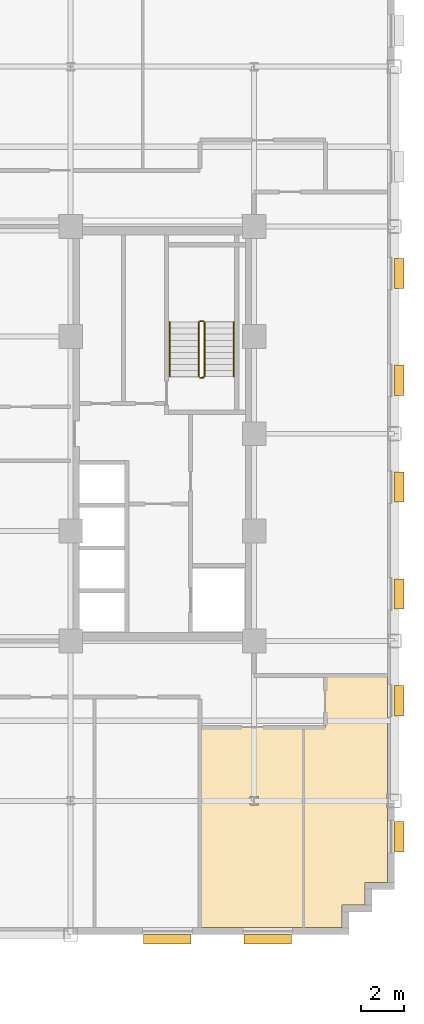
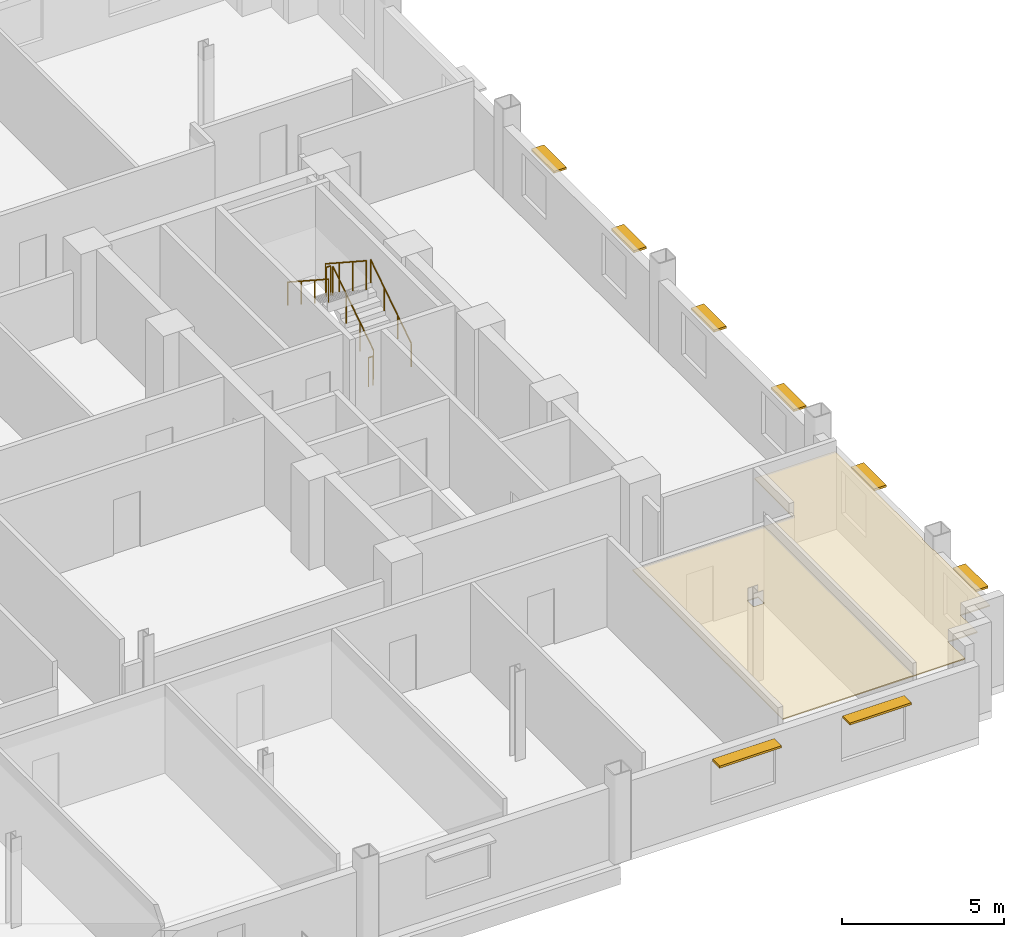
# One storey, part 13 of 14: 8 shading devices, 6 railings, 2 coverings.
"""IFC4 building model written with IfcOpenShell, lengths in metres."""

from ifc_helpers import new_model, si_unit, direction, frame, origin, origin_2d, place, context, subcontext, project, spatial, polyline, rectangle, circle, outline, extrude, source, transform, mapped, material, layer, layer_set, type_object, type_shapes, element, save


model = new_model("IFC4")

# Units and contexts
model_context = context("Model", 3, precision=1e-05, world=origin(), true_north=direction((0.0, 1.0)))
body_context = subcontext(model_context, "Body", "Model", "MODEL_VIEW")
ifc_project = project(units=[si_unit("LENGTHUNIT", "METRE"), si_unit("AREAUNIT", "SQUARE_METRE"), si_unit("VOLUMEUNIT", "CUBIC_METRE"), si_unit("PLANEANGLEUNIT", "RADIAN"), si_unit("MASSUNIT", "GRAM", prefix="KILO")], contexts=[model_context])

# Site, building, storey
site_placement = place(None, origin())
site = spatial("IfcSite", under=ifc_project, at=site_placement, CompositionType="ELEMENT")
building_placement = place(site_placement, origin())
building = spatial("IfcBuilding", under=site, at=building_placement, Name="Nuvemarco Arch Tower", CompositionType="ELEMENT")
storey_placement = place(building_placement, frame((0.0, 0.0, 105.60009765625)))
storey = spatial("IfcBuildingStorey", under=building, at=storey_placement, Name="L27", CompositionType="ELEMENT", Elevation=105.60009765625)

# Coverings
ifc_material_1 = material(Name="Mineral acoustic ceiling tile")
ifc_layer = layer(ifc_material_1, 0.0400390625, Name="COV-ACOUSTIC-CLG")
ifc_layer_set = layer_set([ifc_layer], Name="Mineral acoustic ceiling tile")
covering_type = type_object("IfcCoveringType", Name="COV-ACOUSTIC-CLG", PredefinedType="CEILING", material=ifc_layer_set)
covering_1_placement = place(storey_placement, frame((0.0, 0.0, 2.849853515625)))
element("IfcCovering", 1, at=covering_1_placement, inside=storey, type_object=covering_type, Name="L27 suspended acoustic ceiling 8", PredefinedType="CEILING", context=body_context, shape_type="SweptSolid", body=[
    extrude(outline(polyline([(15.070068359375, -22.8798828125), (15.070068359375, -13.60009765625), (19.780029296875, -13.60009765625), (19.780029296875, -22.8798828125), (15.070068359375, -22.8798828125)]), holes=[polyline([(17.695068359375, -17.195068359375), (17.695068359375, -16.804931640625), (17.304931640625, -16.804931640625), (17.304931640625, -17.195068359375), (17.695068359375, -17.195068359375)])]), origin(), (0.0, 0.0, 1.0), 0.0400390625),
])
covering_2_placement = place(storey_placement, frame((0.0, 0.0, 2.849853515625)))
element("IfcCovering", 2, at=covering_2_placement, inside=storey, type_object=covering_type, Name="L27 suspended acoustic ceiling 9", PredefinedType="CEILING", context=body_context, shape_type="SweptSolid", body=[
    extrude(outline(polyline([(21.580078125, -22.8798828125), (19.780029296875, -22.8798828125), (19.780029296875, -13.60009765625), (20.800048828125, -13.60009765625), (20.800048828125, -11.199951171875), (23.679931640625, -11.199951171875), (23.679931640625, -16.659912109375), (23.659912109375, -16.659912109375), (23.659912109375, -17.340087890625), (23.679931640625, -17.340087890625), (23.679931640625, -20.780029296875), (22.6298828125, -20.780029296875), (22.6298828125, -21.830078125), (21.580078125, -21.830078125), (21.580078125, -22.8798828125)])), origin(), (0.0, 0.0, 1.0), 0.0400390625),
])

# Railings
ifc_material_2 = material(Name="Brushed stainless steel handrail", Category="steel")
railing_type_1 = type_object("IfcRailingType", Name="RL-HANDRAIL-900", PredefinedType="HANDRAIL", material=ifc_material_2)
railing_1_placement = place(storey_placement, frame((16.550048828125, 2.64990234375, 0.182373046875)))
element("IfcRailing", 3, at=railing_1_placement, inside=storey, type_object=railing_type_1, Name="L27 ST-2 stair handrail 1", PredefinedType="HANDRAIL", context=body_context, shape_type="SweptSolid", body=[
    extrude(circle(Radius=0.02392578125, at=origin_2d()), frame((0.0, 0.0, 0.8759765625), z_axis=(0.0, 0.837749427056, 0.546054848405), x_axis=(-1.0, 0.0, 0.0)), (0.0, 0.0, 1.0), 3.008056640625),
    extrude(circle(Radius=0.02099609375, at=origin_2d()), origin(), (0.0, 0.0, 1.0), 0.851806640625),
    extrude(circle(Radius=0.02099609375, at=origin_2d()), frame((0.0, 0.840087890625, 0.547607421875)), (0.0, 0.0, 1.0), 0.851806640625),
    extrude(circle(Radius=0.02099609375, at=origin_2d()), frame((0.0, 1.679931640625, 1.094970703125)), (0.0, 0.0, 1.0), 0.851806640625),
    extrude(circle(Radius=0.02099609375, at=origin_2d()), frame((0.0, 2.52001953125, 1.642578125)), (0.0, 0.0, 1.0), 0.851806640625),
])
railing_2_placement = place(storey_placement, frame((13.590087890625, 5.169921875, 2.00732421875)))
element("IfcRailing", 4, at=railing_2_placement, inside=storey, type_object=railing_type_1, Name="L27 ST-2 stair handrail 2", PredefinedType="HANDRAIL", context=body_context, shape_type="SweptSolid", body=[
    extrude(circle(Radius=0.02392578125, at=origin_2d()), frame((0.0, 0.0, 0.8759765625), z_axis=(0.0, -0.837749427056, 0.546054848405), x_axis=(1.0, 0.0, 0.0)), (0.0, 0.0, 1.0), 3.008056640625),
    extrude(circle(Radius=0.02099609375, at=origin_2d()), origin(), (0.0, 0.0, 1.0), 0.851806640625),
    extrude(circle(Radius=0.02099609375, at=origin_2d()), frame((0.0, -0.840087890625, 0.547607421875)), (0.0, 0.0, 1.0), 0.851806640625),
    extrude(circle(Radius=0.02099609375, at=origin_2d()), frame((0.0, -1.679931640625, 1.094970703125)), (0.0, 0.0, 1.0), 0.851806640625),
    extrude(circle(Radius=0.02099609375, at=origin_2d()), frame((0.0, -2.52001953125, 1.642578125)), (0.0, 0.0, 1.0), 0.851806640625),
])
ifc_material_3 = material(Name="Painted balustrade steel S355", Category="steel")
railing_type_2 = type_object("IfcRailingType", Name="RL-STAIR-GUARD", PredefinedType="GUARDRAIL", material=ifc_material_3)
railing_3_placement = place(storey_placement, frame((15.199951171875, 2.64990234375, 0.182373046875)))
element("IfcRailing", 5, at=railing_3_placement, inside=storey, type_object=railing_type_2, Name="L27 ST-2 stair guard 1", PredefinedType="GUARDRAIL", context=body_context, shape_type="SweptSolid", body=[
    extrude(circle(Radius=0.02392578125, at=origin_2d()), frame((0.0, 0.0, 1.09619140625), z_axis=(0.0, 0.837749427056, 0.546054848405), x_axis=(-1.0, 0.0, 0.0)), (0.0, 0.0, 1.0), 3.008056640625),
    extrude(circle(Radius=0.02099609375, at=origin_2d()), origin(), (0.0, 0.0, 1.0), 1.072021484375),
    extrude(circle(Radius=0.02099609375, at=origin_2d()), frame((0.0, 0.840087890625, 0.547607421875)), (0.0, 0.0, 1.0), 1.072021484375),
    extrude(circle(Radius=0.02099609375, at=origin_2d()), frame((0.0, 1.679931640625, 1.094970703125)), (0.0, 0.0, 1.0), 1.072021484375),
    extrude(circle(Radius=0.02099609375, at=origin_2d()), frame((0.0, 2.52001953125, 1.642578125)), (0.0, 0.0, 1.0), 1.072021484375),
])
railing_4_placement = place(storey_placement, frame((15.14990234375, 5.219970703125, 1.824951171875)))
element("IfcRailing", 6, at=railing_4_placement, inside=storey, type_object=railing_type_2, Name="L27 ST-2 stair guard 2", PredefinedType="GUARDRAIL", context=body_context, shape_type="SweptSolid", body=[
    extrude(circle(Radius=0.02392578125, at=origin_2d()), frame((0.0, 0.0, 1.09619140625), z_axis=(-1.0, 0.0, 0.0), x_axis=(0.0, -1.0, 0.0)), (0.0, 0.0, 1.0), 0.159912109375),
    extrude(circle(Radius=0.02099609375, at=origin_2d()), origin(), (0.0, 0.0, 1.0), 1.072021484375),
    extrude(circle(Radius=0.02099609375, at=origin_2d()), frame((-0.159912109375, 0.0, 0.0)), (0.0, 0.0, 1.0), 1.072021484375),
])
railing_5_placement = place(storey_placement, frame((14.93994140625, 5.169921875, 2.00732421875)))
element("IfcRailing", 7, at=railing_5_placement, inside=storey, type_object=railing_type_2, Name="L27 ST-2 stair guard 3", PredefinedType="GUARDRAIL", context=body_context, shape_type="SweptSolid", body=[
    extrude(circle(Radius=0.02392578125, at=origin_2d()), frame((0.0, 0.0, 1.09619140625), z_axis=(0.0, -0.837749427056, 0.546054848405), x_axis=(1.0, 0.0, 0.0)), (0.0, 0.0, 1.0), 3.008056640625),
    extrude(circle(Radius=0.02099609375, at=origin_2d()), origin(), (0.0, 0.0, 1.0), 1.072021484375),
    extrude(circle(Radius=0.02099609375, at=origin_2d()), frame((0.0, -0.840087890625, 0.547607421875)), (0.0, 0.0, 1.0), 1.072021484375),
    extrude(circle(Radius=0.02099609375, at=origin_2d()), frame((0.0, -1.679931640625, 1.094970703125)), (0.0, 0.0, 1.0), 1.072021484375),
    extrude(circle(Radius=0.02099609375, at=origin_2d()), frame((0.0, -2.52001953125, 1.642578125)), (0.0, 0.0, 1.0), 1.072021484375),
])
railing_6_placement = place(storey_placement, frame((15.14990234375, 2.60009765625, 0.0)))
element("IfcRailing", 8, at=railing_6_placement, inside=storey, type_object=railing_type_2, Name="L27 ST-2 stair guard 4", PredefinedType="GUARDRAIL", context=body_context, shape_type="SweptSolid", body=[
    extrude(circle(Radius=0.02392578125, at=origin_2d()), frame((0.0, 0.0, 1.09619140625), z_axis=(-1.0, 0.0, 0.0), x_axis=(0.0, -1.0, 0.0)), (0.0, 0.0, 1.0), 0.159912109375),
    extrude(circle(Radius=0.02099609375, at=origin_2d()), origin(), (0.0, 0.0, 1.0), 1.072021484375),
    extrude(circle(Radius=0.02099609375, at=origin_2d()), frame((-0.159912109375, 0.0, 0.0)), (0.0, 0.0, 1.0), 1.072021484375),
])

# Shading devices
ifc_material_4 = material(Name="Anodised aluminium 6063-T6", Category="aluminium")
shading_device_type_1 = type_object("IfcShadingDeviceType", Name="SHD-BRISE-SOLEIL", PredefinedType="USERDEFINED", material=ifc_material_4)
shared_shape_1 = source(origin(), body_context, "Body", "SweptSolid", [
    extrude(rectangle(XDim=2.199951171875, YDim=0.449951171875, at=origin_2d()), origin(), (0.0, 0.0, 1.0), 0.080078125),
])
type_shapes(shading_device_type_1, [shared_shape_1])
for number, where, z_axis, x_axis, name in (
    (9, (13.4833984375, -23.4150390625, 2.4248046875), (0.0, 0.0, 1.0), (1.0, 0.0, 0.0), "L27 horizontal brise-soleil sunshade"),
    (10, (18.127685546875, -23.4150390625, 2.4248046875), (0.0, 0.0, 1.0), (1.0, 0.0, 0.0), "L27 horizontal brise-soleil sunshade"),
):
    element("IfcShadingDevice", number, at=place(storey_placement, frame(where, z_axis=z_axis, x_axis=x_axis)), inside=storey, type_object=shading_device_type_1, Name=name, ObjectType="SUNSHADE", PredefinedType="USERDEFINED", context=body_context, shape_type="MappedRepresentation", body=[
        mapped(shared_shape_1, transform((0.0, 0.0, 0.0), scale=1.0)),
    ])
shading_device_type_2 = type_object("IfcShadingDeviceType", Name="SHD-BRISE-NARROW", PredefinedType="USERDEFINED", material=ifc_material_4)
shared_shape_2 = source(origin(), body_context, "Body", "SweptSolid", [
    extrude(rectangle(XDim=1.39990234375, YDim=0.449951171875, at=origin_2d()), origin(), (0.0, 0.0, 1.0), 0.080078125),
])
type_shapes(shading_device_type_2, [shared_shape_2])
for number, where, z_axis, x_axis, name in (
    (11, (24.215087890625, -18.660888671875, 2.40478515625), (0.0, 0.0, 1.0), (0.0, 1.0, 0.0), "L27 horizontal brise-soleil sunshade"),
    (12, (24.215087890625, -12.364990234375, 2.40478515625), (0.0, 0.0, 1.0), (0.0, 1.0, 0.0), "L27 horizontal brise-soleil sunshade"),
    (13, (24.215087890625, -7.4189453125, 2.40478515625), (0.0, 0.0, 1.0), (0.0, 1.0, 0.0), "L27 horizontal brise-soleil sunshade"),
    (14, (24.215087890625, -2.472900390625, 2.40478515625), (0.0, 0.0, 1.0), (0.0, 1.0, 0.0), "L27 horizontal brise-soleil sunshade"),
    (15, (24.215087890625, 2.472900390625, 2.40478515625), (0.0, 0.0, 1.0), (0.0, 1.0, 0.0), "L27 horizontal brise-soleil sunshade"),
    (16, (24.215087890625, 7.4189453125, 2.40478515625), (0.0, 0.0, 1.0), (0.0, 1.0, 0.0), "L27 horizontal brise-soleil sunshade"),
):
    element("IfcShadingDevice", number, at=place(storey_placement, frame(where, z_axis=z_axis, x_axis=x_axis)), inside=storey, type_object=shading_device_type_2, Name=name, ObjectType="SUNSHADE", PredefinedType="USERDEFINED", context=body_context, shape_type="MappedRepresentation", body=[
        mapped(shared_shape_2, transform((0.0, 0.0, 0.0), scale=1.0)),
    ])

save(model, "model.ifc")
